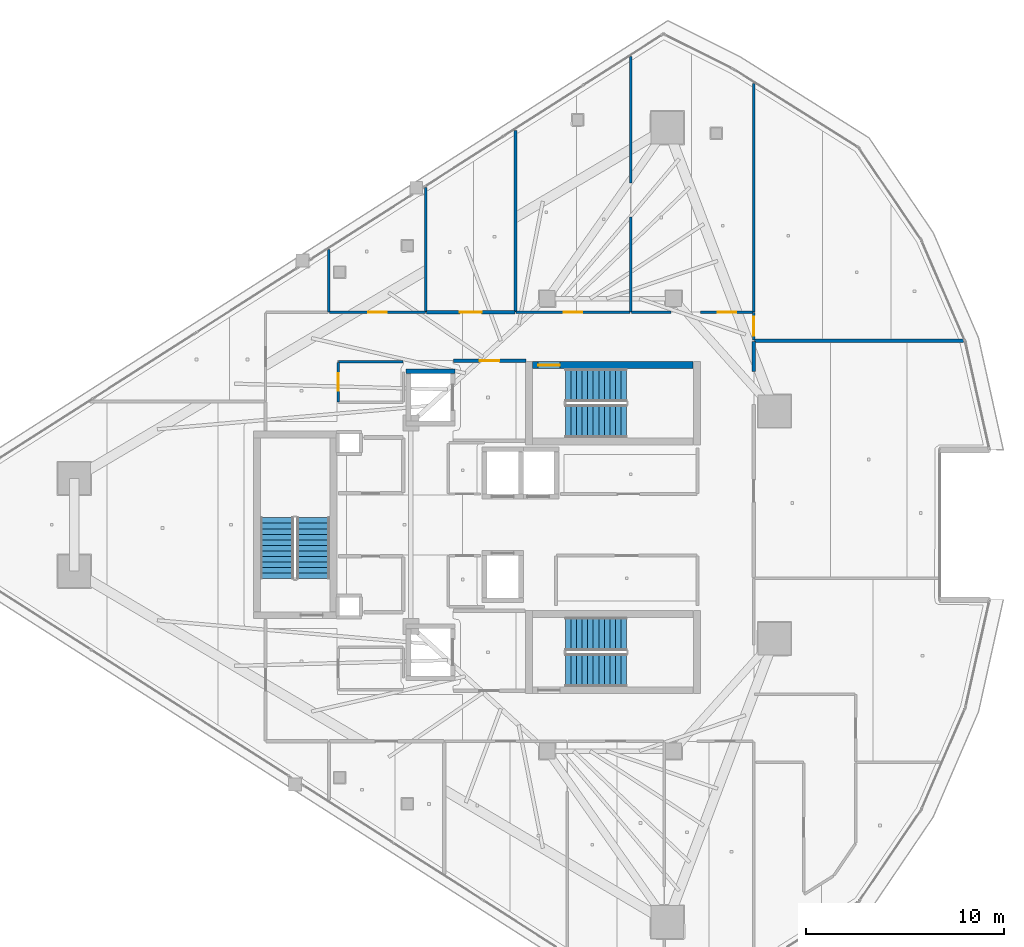
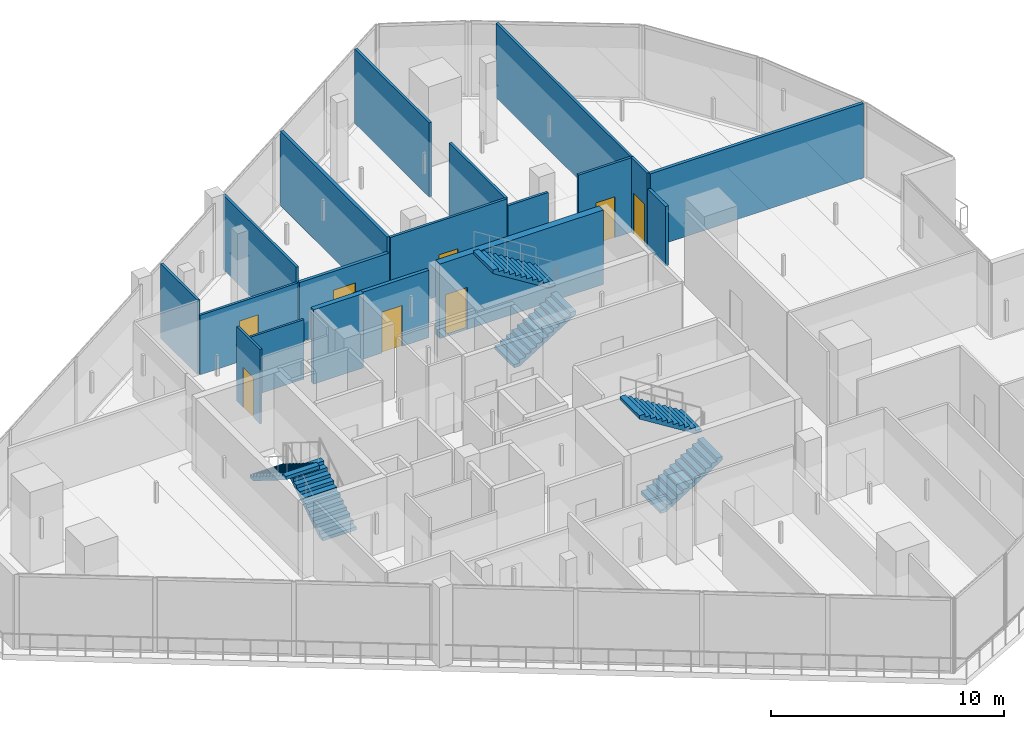
# One storey, part 25 of 33: 19 walls, 8 doors, 6 stair flights, 8 openings, 3 elements without a shape of their own.
"""IFC4 building model written with IfcOpenShell, lengths in metres."""

from ifc_helpers import new_model, si_unit, direction, frame, frame_2d, origin, place, context, subcontext, project, spatial, polyline, rectangle, outline, extrude, material, layer, layer_set, type_object, element, fill, aggregate, save


model = new_model("IFC4")

# Units and contexts
model_context = context("Model", 3, precision=1e-05, world=origin(), true_north=direction((0.0, 1.0)))
body_context = subcontext(model_context, "Body", "Model", "MODEL_VIEW")
ifc_project = project(units=[si_unit("LENGTHUNIT", "METRE"), si_unit("AREAUNIT", "SQUARE_METRE"), si_unit("VOLUMEUNIT", "CUBIC_METRE"), si_unit("PLANEANGLEUNIT", "RADIAN"), si_unit("MASSUNIT", "GRAM", prefix="KILO")], contexts=[model_context])

# Site, building, storey
site_placement = place(None, origin())
site = spatial("IfcSite", under=ifc_project, at=site_placement, CompositionType="ELEMENT")
building_placement = place(site_placement, origin())
building = spatial("IfcBuilding", under=site, at=building_placement, Name="Qorvath Tower", CompositionType="ELEMENT")
storey_placement = place(building_placement, frame((0.0, 0.0, 280.800048828125)))
storey = spatial("IfcBuildingStorey", under=building, at=storey_placement, Name="L65", CompositionType="ELEMENT", Elevation=280.800048828125)

# Wall, opening, door
ifc_material_1 = material(Name="Gypsum shaftliner on steel studs", Category="steel")
ifc_layer_1 = layer(ifc_material_1, 0.179931640625)
ifc_layer_set_1 = layer_set([ifc_layer_1], Name="FW-LOBBY")
wall_type_1 = type_object("IfcWallType", Name="FW-LOBBY", PredefinedType="PARTITIONING", material=ifc_layer_set_1)
wall_1_placement = place(storey_placement, frame((-24.68408203125, 8.300048828125, 0.0), z_axis=(0.0, 0.0, 1.0), x_axis=(-1.0, 0.0, 0.0)))
wall_1 = element("IfcWall", 1, at=wall_1_placement, inside=storey, type_object=wall_type_1, Name="Interior Partition IW-T1-L65-002", PredefinedType="PARTITIONING", context=body_context, shape_type="SweptSolid", body=[
    extrude(rectangle(XDim=3.6708984375, YDim=0.179931640625, at=frame_2d((1.83544921875, 0.0))), origin(), (0.0, 0.0, 1.0), 3.52880859375),
])
opening_1_placement = place(wall_1_placement, frame((1.33544921875, 0.0, 0.0)))
opening_1 = element("IfcOpeningElement", 2, at=opening_1_placement, cuts=wall_1, Name="Opening D-T1-L65-21", PredefinedType="OPENING", context=body_context, shape_type="SweptSolid", body=[
    extrude(rectangle(XDim=1.0, YDim=2.14990234375, at=frame_2d((0.5, 1.074951171875))), frame((0.0, 0.10009765625, 0.0), z_axis=(0.0, -1.0, 0.0), x_axis=(1.0, 0.0, 0.0)), (0.0, 0.0, 1.0), 0.199951171875),
])
ifc_material_2 = material(Name="Painted galvanised hollow metal", Category="steel")
door_type_1 = type_object("IfcDoorType", Name="FD-60", OperationType="NOTDEFINED", PredefinedType="DOOR", material=ifc_material_2)
door_1_placement = place(opening_1_placement, origin())
door_1 = element("IfcDoor", 3, at=door_1_placement, inside=storey, type_object=door_type_1, Name="Lobby Fire Service Elevator North Door D-T1-L65-21", OperationType="SINGLE_SWING_RIGHT", OverallHeight=2.14990234375, OverallWidth=1.0, PredefinedType="DOOR", context=body_context, shape_type="SweptSolid", body=[
    extrude(rectangle(XDim=1.0, YDim=2.14990234375, at=frame_2d((0.5, 1.074951171875))), frame((0.0, 0.02490234375, 0.0), z_axis=(0.0, -1.0, 0.0), x_axis=(1.0, 0.0, 0.0)), (0.0, 0.0, 1.0), 0.050048828125),
])
fill(opening_1, door_1)

ifc_material_3 = material(Name="Double acoustic gypsum board on steel studs", Category="steel")
ifc_layer_2 = layer(ifc_material_3, 0.159912109375)
ifc_layer_set_2 = layer_set([ifc_layer_2], Name="IW-ACOUSTIC-160")
wall_type_2 = type_object("IfcWallType", Name="IW-ACOUSTIC-160", PredefinedType="PARTITIONING", material=ifc_layer_set_2)
wall_2_placement = place(storey_placement, frame((-29.7060546875, 10.758056640625, 0.0), z_axis=(0.0, 0.0, 1.0), x_axis=(1.0, 0.0, 0.0)))
wall_2 = element("IfcWall", 4, at=wall_2_placement, inside=storey, type_object=wall_type_2, Name="Interior Partition IW-T1-L65-033", PredefinedType="PARTITIONING", context=body_context, shape_type="SweptSolid", body=[
    extrude(rectangle(XDim=4.46826171875, YDim=0.159912109375, at=frame_2d((2.234130859375, 0.0))), origin(), (0.0, 0.0, 1.0), 3.1298828125),
])
opening_2_placement = place(wall_2_placement, frame((1.68408203125, 0.0, 0.0)))
opening_2 = element("IfcOpeningElement", 5, at=opening_2_placement, cuts=wall_2, Name="Opening D-T1-L65-10", PredefinedType="OPENING", context=body_context, shape_type="SweptSolid", body=[
    extrude(rectangle(XDim=1.10009765625, YDim=2.14990234375, at=frame_2d((0.550048828125, 1.074951171875))), frame((0.0, 0.08984375, 0.0), z_axis=(0.0, -1.0, 0.0), x_axis=(1.0, 0.0, 0.0)), (0.0, 0.0, 1.0), 0.179931640625),
])
ifc_material_4 = material(Name="Anodised aluminium acoustic framed glass", Category="aluminium")
door_type_2 = type_object("IfcDoorType", Name="D-03", OperationType="NOTDEFINED", PredefinedType="DOOR", material=ifc_material_4)
door_2_placement = place(opening_2_placement, origin())
door_2 = element("IfcDoor", 6, at=door_2_placement, inside=storey, type_object=door_type_2, Name="L65-02 Enclosed Conference Suite Door D-T1-L65-10", OperationType="SINGLE_SWING_LEFT", OverallHeight=2.14990234375, OverallWidth=1.10009765625, PredefinedType="DOOR", context=body_context, shape_type="SweptSolid", body=[
    extrude(rectangle(XDim=1.10009765625, YDim=2.14990234375, at=frame_2d((0.550048828125, 1.074951171875))), frame((0.0, 0.02490234375, 0.0), z_axis=(0.0, -1.0, 0.0), x_axis=(1.0, 0.0, 0.0)), (0.0, 0.0, 1.0), 0.050048828125),
])
fill(opening_2, door_2)

# Walls
wall_3_placement = place(storey_placement, frame((-25.212890625, 10.783203125, 0.0), z_axis=(0.0, 0.0, 1.0), x_axis=(0.0, 1.0, 0.0)))
element("IfcWall", 7, at=wall_3_placement, inside=storey, type_object=wall_type_2, Name="Interior Partition IW-T1-L65-034", PredefinedType="PARTITIONING", context=body_context, shape_type="SweptSolid", body=[
    extrude(rectangle(XDim=9.186279296875, YDim=0.159912109375, at=frame_2d((4.59326171875, 0.0))), origin(), (0.0, 0.0, 1.0), 3.909912109375),
])
wall_4_placement = place(storey_placement, frame((-2.535400390625, 9.31591796875, 0.0), z_axis=(0.0, 0.0, 1.0), x_axis=(-1.0, 0.0, 0.0)))
element("IfcWall", 8, at=wall_4_placement, inside=storey, type_object=wall_type_2, Name="Interior Partition IW-T1-L65-061", PredefinedType="PARTITIONING", context=body_context, shape_type="SweptSolid", body=[
    extrude(rectangle(XDim=10.581787109375, YDim=0.159912109375, at=frame_2d((5.291015625, 0.0))), origin(), (0.0, 0.0, 1.0), 3.909912109375),
])
wall_5_placement = place(storey_placement, frame((-13.14208984375, 9.291015625, 0.0), z_axis=(0.0, 0.0, 1.0), x_axis=(0.0, -1.0, 0.0)))
element("IfcWall", 9, at=wall_5_placement, inside=storey, type_object=wall_type_2, Name="Interior Partition IW-T1-L65-062", PredefinedType="PARTITIONING", context=body_context, shape_type="SweptSolid", body=[
    extrude(rectangle(XDim=1.533203125, YDim=0.159912109375, at=frame_2d((0.7666015625, 0.0))), origin(), (0.0, 0.0, 1.0), 3.1298828125),
])
ifc_material_5 = material(Name="Gypsum board on metal studs with mineral wool", Category="gypsum")
ifc_layer_3 = layer(ifc_material_5, 0.125)
ifc_layer_set_3 = layer_set([ifc_layer_3], Name="IW-PART-125")
wall_type_3 = type_object("IfcWallType", Name="IW-PART-125", PredefinedType="PARTITIONING", material=ifc_layer_set_3)
wall_6_placement = place(storey_placement, frame((-34.64990234375, 13.93798828125, 0.0), z_axis=(0.0, 0.0, 1.0), x_axis=(0.0, -1.0, 0.0)))
element("IfcWall", 10, at=wall_6_placement, inside=storey, type_object=wall_type_3, Name="Interior Partition IW-T1-L65-030", PredefinedType="PARTITIONING", context=body_context, shape_type="SweptSolid", body=[
    extrude(rectangle(XDim=3.15478515625, YDim=0.125, at=frame_2d((1.577392578125, 0.0))), origin(), (0.0, 0.0, 1.0), 3.909912109375),
])

# Wall, opening, door
wall_7_placement = place(storey_placement, frame((-34.625, 10.758056640625, 0.0), z_axis=(0.0, 0.0, 1.0), x_axis=(1.0, 0.0, 0.0)))
wall_7 = element("IfcWall", 11, at=wall_7_placement, inside=storey, type_object=wall_type_3, Name="Interior Partition IW-T1-L65-031", PredefinedType="PARTITIONING", context=body_context, shape_type="SweptSolid", body=[
    extrude(rectangle(XDim=4.861083984375, YDim=0.125, at=frame_2d((2.4306640625, 0.0))), origin(), (0.0, 0.0, 1.0), 3.1298828125),
])
opening_3_placement = place(wall_7_placement, frame((1.95556640625, 0.0, 0.0)))
opening_3 = element("IfcOpeningElement", 12, at=opening_3_placement, cuts=wall_7, Name="Opening D-T1-L65-09", PredefinedType="OPENING", context=body_context, shape_type="SweptSolid", body=[
    extrude(rectangle(XDim=0.949951171875, YDim=2.14990234375, at=frame_2d((0.47509765625, 1.074951171875))), frame((0.0, 0.072509765625, 0.0), z_axis=(0.0, -1.0, 0.0), x_axis=(1.0, 0.0, 0.0)), (0.0, 0.0, 1.0), 0.14501953125),
])
ifc_material_6 = material(Name="Solid-core American white oak veneer", Category="wood")
door_type_3 = type_object("IfcDoorType", Name="D-01", OperationType="NOTDEFINED", PredefinedType="DOOR", material=ifc_material_6)
door_3_placement = place(opening_3_placement, origin())
door_3 = element("IfcDoor", 13, at=door_3_placement, inside=storey, type_object=door_type_3, Name="L65-01 Open Workplace Studio Door D-T1-L65-09", OperationType="SINGLE_SWING_RIGHT", OverallHeight=2.14990234375, OverallWidth=0.949951171875, PredefinedType="DOOR", context=body_context, shape_type="SweptSolid", body=[
    extrude(rectangle(XDim=0.949951171875, YDim=2.14990234375, at=frame_2d((0.47509765625, 1.074951171875))), frame((0.0, 0.02490234375, 0.0), z_axis=(0.0, -1.0, 0.0), x_axis=(1.0, 0.0, 0.0)), (0.0, 0.0, 1.0), 0.050048828125),
])
fill(opening_3, door_3)

# Wall
wall_8_placement = place(storey_placement, frame((-29.73876953125, 10.783203125, 0.0), z_axis=(0.0, 0.0, 1.0), x_axis=(0.0, 1.0, 0.0)))
element("IfcWall", 14, at=wall_8_placement, inside=storey, type_object=wall_type_3, Name="Interior Partition IW-T1-L65-032", PredefinedType="PARTITIONING", context=body_context, shape_type="SweptSolid", body=[
    extrude(rectangle(XDim=6.29345703125, YDim=0.125, at=frame_2d((3.146728515625, 0.0))), origin(), (0.0, 0.0, 1.0), 3.909912109375),
])

# Wall, opening, door
wall_9_placement = place(storey_placement, frame((-25.1796875, 10.758056640625, 0.0), z_axis=(0.0, 0.0, 1.0), x_axis=(1.0, 0.0, 0.0)))
wall_9 = element("IfcWall", 15, at=wall_9_placement, inside=storey, type_object=wall_type_3, Name="Interior Partition IW-T1-L65-035", PredefinedType="PARTITIONING", context=body_context, shape_type="SweptSolid", body=[
    extrude(rectangle(XDim=5.78076171875, YDim=0.125, at=frame_2d((2.890380859375, 0.0))), origin(), (0.0, 0.0, 1.0), 3.909912109375),
])
opening_4_placement = place(wall_9_placement, frame((2.415283203125, 0.0, 0.0)))
opening_4 = element("IfcOpeningElement", 16, at=opening_4_placement, cuts=wall_9, Name="Opening D-T1-L65-11", PredefinedType="OPENING", context=body_context, shape_type="SweptSolid", body=[
    extrude(rectangle(XDim=0.949951171875, YDim=2.14990234375, at=frame_2d((0.47509765625, 1.074951171875))), frame((0.0, 0.072509765625, 0.0), z_axis=(0.0, -1.0, 0.0), x_axis=(1.0, 0.0, 0.0)), (0.0, 0.0, 1.0), 0.14501953125),
])
door_4_placement = place(opening_4_placement, origin())
door_4 = element("IfcDoor", 17, at=door_4_placement, inside=storey, type_object=door_type_3, Name="L65-03 Focus Collaboration Pod Door D-T1-L65-11", OperationType="SINGLE_SWING_RIGHT", OverallHeight=2.14990234375, OverallWidth=0.949951171875, PredefinedType="DOOR", context=body_context, shape_type="SweptSolid", body=[
    extrude(rectangle(XDim=0.949951171875, YDim=2.14990234375, at=frame_2d((0.47509765625, 1.074951171875))), frame((0.0, 0.02490234375, 0.0), z_axis=(0.0, -1.0, 0.0), x_axis=(1.0, 0.0, 0.0)), (0.0, 0.0, 1.0), 0.050048828125),
])
fill(opening_4, door_4)

# Walls
wall_10_placement = place(storey_placement, frame((-19.3740234375, 10.783203125, 0.0), z_axis=(0.0, 0.0, 1.0), x_axis=(0.0, 1.0, 0.0)))
element("IfcWall", 18, at=wall_10_placement, inside=storey, type_object=wall_type_3, Name="Interior Partition IW-T1-L65-036", PredefinedType="PARTITIONING", context=body_context, shape_type="SweptSolid", body=[
    extrude(rectangle(XDim=4.795654296875, YDim=0.125, at=frame_2d((2.39794921875, 0.0))), origin(), (0.0, 0.0, 1.0), 3.909912109375),
])
wall_11_placement = place(storey_placement, frame((-19.3740234375, 17.2998046875, 0.0), z_axis=(0.0, 0.0, 1.0), x_axis=(0.0, 1.0, 0.0)))
element("IfcWall", 19, at=wall_11_placement, inside=storey, type_object=wall_type_3, Name="Interior Partition IW-T1-L65-037", PredefinedType="PARTITIONING", context=body_context, shape_type="SweptSolid", body=[
    extrude(rectangle(XDim=6.4013671875, YDim=0.125, at=frame_2d((3.20068359375, 0.0))), origin(), (0.0, 0.0, 1.0), 3.909912109375),
])
wall_12_placement = place(storey_placement, frame((-19.341064453125, 10.758056640625, 0.0), z_axis=(0.0, 0.0, 1.0), x_axis=(1.0, 0.0, 0.0)))
element("IfcWall", 20, at=wall_12_placement, inside=storey, type_object=wall_type_3, Name="Interior Partition IW-T1-L65-038", PredefinedType="PARTITIONING", context=body_context, shape_type="SweptSolid", body=[
    extrude(rectangle(XDim=2.01123046875, YDim=0.125, at=frame_2d((1.005615234375, 0.0))), origin(), (0.0, 0.0, 1.0), 3.52880859375),
])

# Wall, opening, door
wall_13_placement = place(storey_placement, frame((-15.829345703125, 10.758056640625, 0.0), z_axis=(0.0, 0.0, 1.0), x_axis=(1.0, 0.0, 0.0)))
wall_13 = element("IfcWall", 21, at=wall_13_placement, inside=storey, type_object=wall_type_3, Name="Interior Partition IW-T1-L65-039", PredefinedType="PARTITIONING", context=body_context, shape_type="SweptSolid", body=[
    extrude(rectangle(XDim=2.654541015625, YDim=0.125, at=frame_2d((1.3271484375, 0.0))), origin(), (0.0, 0.0, 1.0), 3.909912109375),
])
opening_5_placement = place(wall_13_placement, frame((0.852294921875, 0.0, 0.0)))
opening_5 = element("IfcOpeningElement", 22, at=opening_5_placement, cuts=wall_13, Name="Opening D-T1-L65-23", PredefinedType="OPENING", context=body_context, shape_type="SweptSolid", body=[
    extrude(rectangle(XDim=0.949951171875, YDim=2.14990234375, at=frame_2d((0.47509765625, 1.074951171875))), frame((0.0, 0.072509765625, 0.0), z_axis=(0.0, -1.0, 0.0), x_axis=(1.0, 0.0, 0.0)), (0.0, 0.0, 1.0), 0.14501953125),
])
door_5_placement = place(opening_5_placement, origin())
door_5 = element("IfcDoor", 23, at=door_5_placement, inside=storey, type_object=door_type_3, Name="L65-04 Staff Refreshment Pantry and Coffee Bar Door D-T1-L65-23", OperationType="SINGLE_SWING_RIGHT", OverallHeight=2.14990234375, OverallWidth=0.949951171875, PredefinedType="DOOR", context=body_context, shape_type="SweptSolid", body=[
    extrude(rectangle(XDim=0.949951171875, YDim=2.14990234375, at=frame_2d((0.47509765625, 1.074951171875))), frame((0.0, 0.02490234375, 0.0), z_axis=(0.0, -1.0, 0.0), x_axis=(1.0, 0.0, 0.0)), (0.0, 0.0, 1.0), 0.050048828125),
])
fill(opening_5, door_5)

# Wall
wall_14_placement = place(storey_placement, frame((-13.14990234375, 10.783203125, 0.0), z_axis=(0.0, 0.0, 1.0), x_axis=(0.0, 1.0, 0.0)))
element("IfcWall", 24, at=wall_14_placement, inside=storey, type_object=wall_type_3, Name="Interior Partition IW-T1-L65-040", PredefinedType="PARTITIONING", context=body_context, shape_type="SweptSolid", body=[
    extrude(rectangle(XDim=11.55908203125, YDim=0.125, at=frame_2d((5.779541015625, 0.0))), origin(), (0.0, 0.0, 1.0), 3.909912109375),
])

# Wall, opening, door
wall_15_placement = place(storey_placement, frame((-13.14208984375, 10.75830078125, 0.0), z_axis=(0.0, 0.0, 1.0), x_axis=(0.0, -1.0, 0.0)))
wall_15 = element("IfcWall", 25, at=wall_15_placement, inside=storey, type_object=wall_type_3, Name="Interior Partition IW-T1-L65-064", PredefinedType="PARTITIONING", context=body_context, shape_type="SweptSolid", body=[
    extrude(rectangle(XDim=1.4091796875, YDim=0.125, at=frame_2d((0.70458984375, 0.0))), origin(), (0.0, 0.0, 1.0), 3.909912109375),
])
opening_6_placement = place(wall_15_placement, frame((0.2294921875, 0.0, 0.0)))
opening_6 = element("IfcOpeningElement", 26, at=opening_6_placement, cuts=wall_15, Name="Opening D-T1-L65-20", PredefinedType="OPENING", context=body_context, shape_type="SweptSolid", body=[
    extrude(rectangle(XDim=0.949951171875, YDim=2.14990234375, at=frame_2d((0.47509765625, 1.074951171875))), frame((0.0, 0.072509765625, 0.0), z_axis=(0.0, -1.0, 0.0), x_axis=(1.0, 0.0, 0.0)), (0.0, 0.0, 1.0), 0.14501953125),
])
door_6_placement = place(opening_6_placement, origin())
door_6 = element("IfcDoor", 27, at=door_6_placement, inside=storey, type_object=door_type_3, Name="L65-12 Quantitative Research Studio Door D-T1-L65-20", OperationType="SINGLE_SWING_LEFT", OverallHeight=2.14990234375, OverallWidth=0.949951171875, PredefinedType="DOOR", context=body_context, shape_type="SweptSolid", body=[
    extrude(rectangle(XDim=0.949951171875, YDim=2.14990234375, at=frame_2d((0.47509765625, 1.074951171875))), frame((0.0, 0.02490234375, 0.0), z_axis=(0.0, -1.0, 0.0), x_axis=(1.0, 0.0, 0.0)), (0.0, 0.0, 1.0), 0.050048828125),
])
fill(opening_6, door_6)

ifc_material_7 = material(Name="Moisture-resistant cement board on metal studs", Category="gypsum")
ifc_layer_4 = layer(ifc_material_7, 0.110107421875)
ifc_layer_set_4 = layer_set([ifc_layer_4], Name="IW-WC-110")
wall_type_4 = type_object("IfcWallType", Name="IW-WC-110", PredefinedType="PARTITIONING", material=ifc_layer_set_4)
wall_16_placement = place(storey_placement, frame((-34.179931640625, 8.22509765625, 0.0), z_axis=(0.0, 0.0, 1.0), x_axis=(0.0, -1.0, 0.0)))
wall_16 = element("IfcWall", 28, at=wall_16_placement, inside=storey, type_object=wall_type_4, Name="Interior Partition IW-T1-L65-005", PredefinedType="PARTITIONING", context=body_context, shape_type="SweptSolid", body=[
    extrude(rectangle(XDim=2.0, YDim=0.110107421875, at=frame_2d((1.0, 0.0))), origin(), (0.0, 0.0, 1.0), 3.909912109375),
])
opening_7_placement = place(wall_16_placement, frame((0.56005859375, 0.0, 0.0)))
opening_7 = element("IfcOpeningElement", 29, at=opening_7_placement, cuts=wall_16, Name="Opening D-T1-L65-01", PredefinedType="OPENING", context=body_context, shape_type="SweptSolid", body=[
    extrude(rectangle(XDim=0.8798828125, YDim=2.10009765625, at=frame_2d((0.43994140625, 1.050048828125))), frame((0.0, 0.06494140625, 0.0), z_axis=(0.0, -1.0, 0.0), x_axis=(1.0, 0.0, 0.0)), (0.0, 0.0, 1.0), 0.130126953125),
])
ifc_material_8 = material(Name="Solid-core oak with acoustic drop seal", Category="wood")
door_type_4 = type_object("IfcDoorType", Name="D-02", OperationType="NOTDEFINED", PredefinedType="DOOR", material=ifc_material_8)
door_7_placement = place(opening_7_placement, origin())
door_7 = element("IfcDoor", 30, at=door_7_placement, inside=storey, type_object=door_type_4, Name="WC All-Gender North L65 Door D-T1-L65-01", OperationType="SINGLE_SWING_RIGHT", OverallHeight=2.10009765625, OverallWidth=0.8798828125, PredefinedType="DOOR", context=body_context, shape_type="SweptSolid", body=[
    extrude(rectangle(XDim=0.8798828125, YDim=2.10009765625, at=frame_2d((0.43994140625, 1.050048828125))), frame((0.0, 0.02490234375, 0.0), z_axis=(0.0, -1.0, 0.0), x_axis=(1.0, 0.0, 0.0)), (0.0, 0.0, 1.0), 0.050048828125),
])
fill(opening_7, door_7)

# Walls
wall_17_placement = place(storey_placement, frame((-30.90478515625, 8.25, 0.0), z_axis=(0.0, 0.0, 1.0), x_axis=(-1.0, 0.0, 0.0)))
element("IfcWall", 31, at=wall_17_placement, inside=storey, type_object=wall_type_4, Name="Interior Partition IW-T1-L65-008", PredefinedType="PARTITIONING", context=body_context, shape_type="SweptSolid", body=[
    extrude(rectangle(XDim=3.25, YDim=0.110107421875, at=frame_2d((1.625, 0.0))), origin(), (0.0, 0.0, 1.0), 3.1298828125),
])
ifc_material_9 = material(Name="Concrete C60/75", Category="concrete")
ifc_layer_5 = layer(ifc_material_9, 0.260009765625)
ifc_layer_set_5 = layer_set([ifc_layer_5], Name="SW-SHAFT")
wall_type_5 = type_object("IfcWallType", Name="SW-SHAFT", PredefinedType="SHEAR", material=ifc_layer_set_5)
wall_18_placement = place(storey_placement, frame((-30.739990234375, 7.77001953125, 0.0), z_axis=(0.0, 0.0, 1.0), x_axis=(1.0, 0.0, 0.0)))
element("IfcWall", 32, at=wall_18_placement, inside=storey, type_object=wall_type_5, Name="Hoistway Wall FSAE-1 L65 N", PredefinedType="SHEAR", context=body_context, shape_type="SweptSolid", body=[
    extrude(rectangle(XDim=2.47998046875, YDim=0.239990234375, at=frame_2d((1.239990234375, 0.0))), origin(), (0.0, 0.0, 1.0), 3.909912109375),
])

# Wall, opening, door
ifc_material_10 = material(Name="Concrete C60/75", Category="concrete")
ifc_layer_6 = layer(ifc_material_10, 0.35009765625)
ifc_layer_set_6 = layer_set([ifc_layer_6], Name="SW-STAIR")
wall_type_6 = type_object("IfcWallType", Name="SW-STAIR", PredefinedType="SHEAR", material=ifc_layer_set_6)
wall_19_placement = place(storey_placement, frame((-16.215087890625, 8.0849609375, 0.0), z_axis=(0.0, 0.0, 1.0), x_axis=(-1.0, 0.0, 0.0)))
wall_19 = element("IfcWall", 33, at=wall_19_placement, inside=storey, type_object=wall_type_6, Name="Stair TS1 Shear Wall L65 RIGHT", PredefinedType="SHEAR", context=body_context, shape_type="SweptSolid", body=[
    extrude(rectangle(XDim=8.119873046875, YDim=0.35009765625, at=frame_2d((4.06005859375, 0.0))), origin(), (0.0, 0.0, 1.0), 3.909912109375),
])
opening_8_placement = place(wall_19_placement, frame((6.739990234375, 0.0, 0.0)))
opening_8 = element("IfcOpeningElement", 34, at=opening_8_placement, cuts=wall_19, Name="Opening D-TS1-L65", PredefinedType="OPENING", context=body_context, shape_type="SweptSolid", body=[
    extrude(rectangle(XDim=1.10009765625, YDim=2.199951171875, at=frame_2d((0.550048828125, 1.10009765625))), frame((0.0, 0.18505859375, 0.0), z_axis=(0.0, -1.0, 0.0), x_axis=(1.0, 0.0, 0.0)), (0.0, 0.0, 1.0), 0.3701171875),
])
ifc_material_11 = material(Name="Painted galvanised hollow metal", Category="steel")
door_type_5 = type_object("IfcDoorType", Name="FD-90", OperationType="NOTDEFINED", PredefinedType="DOOR", material=ifc_material_11)
door_8_placement = place(opening_8_placement, origin())
door_8 = element("IfcDoor", 35, at=door_8_placement, inside=storey, type_object=door_type_5, Name="Stair TS1 Fire Door L65", OperationType="SINGLE_SWING_RIGHT", OverallHeight=2.199951171875, OverallWidth=1.10009765625, PredefinedType="DOOR", context=body_context, shape_type="SweptSolid", body=[
    extrude(rectangle(XDim=1.10009765625, YDim=2.199951171875, at=frame_2d((0.550048828125, 1.10009765625))), frame((0.0, 0.02490234375, 0.0), z_axis=(0.0, -1.0, 0.0), x_axis=(1.0, 0.0, 0.0)), (0.0, 0.0, 1.0), 0.050048828125),
])
fill(opening_8, door_8)

# Stair, stair flights
ifc_material_12 = material(Name="Concrete C50/60", Category="concrete")
stair_type = type_object("IfcStairType", Name="ST-H420", PredefinedType="HALF_TURN_STAIR", material=ifc_material_12)
stair_1_placement = place(storey_placement, origin())
stair_1 = element("IfcStair", 36, at=stair_1_placement, inside=storey, type_object=stair_type, Name="L65 Tower Exit Stair 1", PredefinedType="HALF_TURN_STAIR")
ifc_material_13 = material(Name="Concrete C50/60", Category="concrete")
ifc_layer_7 = layer(ifc_material_13, 0.14990234375)
ifc_layer_set_7 = layer_set([ifc_layer_7], Name="SF-H420")
stair_flight_type = type_object("IfcStairFlightType", Name="SF-H420", PredefinedType="STRAIGHT", material=ifc_layer_set_7)
stair_flight_1_placement = place(storey_placement, frame((-22.669921875, 5.239990234375, 0.0), z_axis=(0.0, 0.0, 1.0), x_axis=(1.0, 0.0, 0.0)))
stair_flight_1 = element("IfcStairFlight", 37, at=stair_flight_1_placement, type_object=stair_flight_type, Name="TS1 flight 1", NumberOfRisers=12, NumberOfTreads=11, PredefinedType="STRAIGHT", RiserHeight=0.175, TreadLength=0.28, context=body_context, shape_type="SweptSolid", body=[
    extrude(outline(polyline([(0.0, 0.0), (0.0, 0.175048828125), (0.280029296875, 0.175048828125), (0.280029296875, 0.35009765625), (0.56005859375, 0.35009765625), (0.56005859375, 0.52490234375), (0.840087890625, 0.52490234375), (0.840087890625, 0.699951171875), (1.1201171875, 0.699951171875), (1.1201171875, 0.875), (1.39990234375, 0.875), (1.39990234375, 1.050048828125), (1.679931640625, 1.050048828125), (1.679931640625, 1.22509765625), (1.9599609375, 1.22509765625), (1.9599609375, 1.39990234375), (2.239990234375, 1.39990234375), (2.239990234375, 1.574951171875), (2.52001953125, 1.574951171875), (2.52001953125, 1.75), (2.800048828125, 1.75), (2.800048828125, 1.925048828125), (3.080078125, 1.925048828125), (3.080078125, 2.10009765625), (3.080078125, 1.748291015625), (0.28271484375, 0.0), (0.0, 0.0)])), frame((0.0, 0.83984375, 0.0), z_axis=(0.0, -1.0, 0.0), x_axis=(1.0, 0.0, 0.0)), (0.0, 0.0, 1.0), 1.679931640625),
])
stair_flight_2_placement = place(storey_placement, frame((-19.590087890625, 7.070068359375, 2.099853515625), z_axis=(0.0, 0.0, 1.0), x_axis=(-1.0, 0.0, 0.0)))
stair_flight_2 = element("IfcStairFlight", 38, at=stair_flight_2_placement, type_object=stair_flight_type, Name="TS1 flight 2", NumberOfRisers=12, NumberOfTreads=11, PredefinedType="STRAIGHT", RiserHeight=0.175, TreadLength=0.28, context=body_context, shape_type="SweptSolid", body=[
    extrude(outline(polyline([(0.0, 0.0), (0.0, 0.175048828125), (0.280029296875, 0.175048828125), (0.280029296875, 0.35009765625), (0.56005859375, 0.35009765625), (0.56005859375, 0.52490234375), (0.840087890625, 0.52490234375), (0.840087890625, 0.699951171875), (1.1201171875, 0.699951171875), (1.1201171875, 0.875), (1.39990234375, 0.875), (1.39990234375, 1.050048828125), (1.679931640625, 1.050048828125), (1.679931640625, 1.22509765625), (1.9599609375, 1.22509765625), (1.9599609375, 1.39990234375), (2.239990234375, 1.39990234375), (2.239990234375, 1.574951171875), (2.52001953125, 1.574951171875), (2.52001953125, 1.75), (2.800048828125, 1.75), (2.800048828125, 1.925048828125), (3.080078125, 1.925048828125), (3.080078125, 2.10009765625), (3.080078125, 1.748291015625), (0.28271484375, 0.0), (0.0, 0.0)])), frame((0.0, 0.83984375, 0.0), z_axis=(0.0, -1.0, 0.0), x_axis=(1.0, 0.0, 0.0)), (0.0, 0.0, 1.0), 1.679931640625),
])
aggregate(stair_1, [stair_flight_1, stair_flight_2])

stair_2_placement = place(storey_placement, origin())
stair_2 = element("IfcStair", 39, at=stair_2_placement, inside=storey, type_object=stair_type, Name="L65 Tower Exit Stair 2", PredefinedType="HALF_TURN_STAIR")
stair_flight_3_placement = place(storey_placement, frame((-22.669921875, -7.360107421875, 0.0), z_axis=(0.0, 0.0, 1.0), x_axis=(1.0, 0.0, 0.0)))
stair_flight_3 = element("IfcStairFlight", 40, at=stair_flight_3_placement, type_object=stair_flight_type, Name="TS2 flight 1", NumberOfRisers=12, NumberOfTreads=11, PredefinedType="STRAIGHT", RiserHeight=0.175, TreadLength=0.28, context=body_context, shape_type="SweptSolid", body=[
    extrude(outline(polyline([(0.0, 0.0), (0.0, 0.175048828125), (0.280029296875, 0.175048828125), (0.280029296875, 0.35009765625), (0.56005859375, 0.35009765625), (0.56005859375, 0.52490234375), (0.840087890625, 0.52490234375), (0.840087890625, 0.699951171875), (1.1201171875, 0.699951171875), (1.1201171875, 0.875), (1.39990234375, 0.875), (1.39990234375, 1.050048828125), (1.679931640625, 1.050048828125), (1.679931640625, 1.22509765625), (1.9599609375, 1.22509765625), (1.9599609375, 1.39990234375), (2.239990234375, 1.39990234375), (2.239990234375, 1.574951171875), (2.52001953125, 1.574951171875), (2.52001953125, 1.75), (2.800048828125, 1.75), (2.800048828125, 1.925048828125), (3.080078125, 1.925048828125), (3.080078125, 2.10009765625), (3.080078125, 1.748291015625), (0.28271484375, 0.0), (0.0, 0.0)])), frame((0.0, 0.83984375, 0.0), z_axis=(0.0, -1.0, 0.0), x_axis=(1.0, 0.0, 0.0)), (0.0, 0.0, 1.0), 1.679931640625),
])
stair_flight_4_placement = place(storey_placement, frame((-19.590087890625, -5.530029296875, 2.099853515625), z_axis=(0.0, 0.0, 1.0), x_axis=(-1.0, 0.0, 0.0)))
stair_flight_4 = element("IfcStairFlight", 41, at=stair_flight_4_placement, type_object=stair_flight_type, Name="TS2 flight 2", NumberOfRisers=12, NumberOfTreads=11, PredefinedType="STRAIGHT", RiserHeight=0.175, TreadLength=0.28, context=body_context, shape_type="SweptSolid", body=[
    extrude(outline(polyline([(0.0, 0.0), (0.0, 0.175048828125), (0.280029296875, 0.175048828125), (0.280029296875, 0.35009765625), (0.56005859375, 0.35009765625), (0.56005859375, 0.52490234375), (0.840087890625, 0.52490234375), (0.840087890625, 0.699951171875), (1.1201171875, 0.699951171875), (1.1201171875, 0.875), (1.39990234375, 0.875), (1.39990234375, 1.050048828125), (1.679931640625, 1.050048828125), (1.679931640625, 1.22509765625), (1.9599609375, 1.22509765625), (1.9599609375, 1.39990234375), (2.239990234375, 1.39990234375), (2.239990234375, 1.574951171875), (2.52001953125, 1.574951171875), (2.52001953125, 1.75), (2.800048828125, 1.75), (2.800048828125, 1.925048828125), (3.080078125, 1.925048828125), (3.080078125, 2.10009765625), (3.080078125, 1.748291015625), (0.28271484375, 0.0), (0.0, 0.0)])), frame((0.0, 0.83984375, 0.0), z_axis=(0.0, -1.0, 0.0), x_axis=(1.0, 0.0, 0.0)), (0.0, 0.0, 1.0), 1.679931640625),
])
aggregate(stair_2, [stair_flight_3, stair_flight_4])

stair_3_placement = place(storey_placement, origin())
stair_3 = element("IfcStair", 42, at=stair_3_placement, inside=storey, type_object=stair_type, Name="L65 Tower Exit Stair 3", PredefinedType="HALF_TURN_STAIR")
stair_flight_5_placement = place(storey_placement, frame((-35.43994140625, -2.719970703125, 0.0), z_axis=(0.0, 0.0, 1.0), x_axis=(0.0, 1.0, 0.0)))
stair_flight_5 = element("IfcStairFlight", 43, at=stair_flight_5_placement, type_object=stair_flight_type, Name="TS3 flight 1", NumberOfRisers=12, NumberOfTreads=11, PredefinedType="STRAIGHT", RiserHeight=0.175, TreadLength=0.28, context=body_context, shape_type="SweptSolid", body=[
    extrude(outline(polyline([(0.0, 0.0), (0.0, 0.175048828125), (0.280029296875, 0.175048828125), (0.280029296875, 0.35009765625), (0.56005859375, 0.35009765625), (0.56005859375, 0.52490234375), (0.840087890625, 0.52490234375), (0.840087890625, 0.699951171875), (1.1201171875, 0.699951171875), (1.1201171875, 0.875), (1.39990234375, 0.875), (1.39990234375, 1.050048828125), (1.679931640625, 1.050048828125), (1.679931640625, 1.22509765625), (1.9599609375, 1.22509765625), (1.9599609375, 1.39990234375), (2.239990234375, 1.39990234375), (2.239990234375, 1.574951171875), (2.52001953125, 1.574951171875), (2.52001953125, 1.75), (2.800048828125, 1.75), (2.800048828125, 1.925048828125), (3.080078125, 1.925048828125), (3.080078125, 2.10009765625), (3.080078125, 1.748291015625), (0.28271484375, 0.0), (0.0, 0.0)])), frame((0.0, 0.83984375, 0.0), z_axis=(0.0, -1.0, 0.0), x_axis=(1.0, 0.0, 0.0)), (0.0, 0.0, 1.0), 1.679931640625),
])
stair_flight_6_placement = place(storey_placement, frame((-37.27001953125, 0.360107421875, 2.099853515625), z_axis=(0.0, 0.0, 1.0), x_axis=(0.0, -1.0, 0.0)))
stair_flight_6 = element("IfcStairFlight", 44, at=stair_flight_6_placement, type_object=stair_flight_type, Name="TS3 flight 2", NumberOfRisers=12, NumberOfTreads=11, PredefinedType="STRAIGHT", RiserHeight=0.175, TreadLength=0.28, context=body_context, shape_type="SweptSolid", body=[
    extrude(outline(polyline([(0.0, 0.0), (0.0, 0.175048828125), (0.280029296875, 0.175048828125), (0.280029296875, 0.35009765625), (0.56005859375, 0.35009765625), (0.56005859375, 0.52490234375), (0.840087890625, 0.52490234375), (0.840087890625, 0.699951171875), (1.1201171875, 0.699951171875), (1.1201171875, 0.875), (1.39990234375, 0.875), (1.39990234375, 1.050048828125), (1.679931640625, 1.050048828125), (1.679931640625, 1.22509765625), (1.9599609375, 1.22509765625), (1.9599609375, 1.39990234375), (2.239990234375, 1.39990234375), (2.239990234375, 1.574951171875), (2.52001953125, 1.574951171875), (2.52001953125, 1.75), (2.800048828125, 1.75), (2.800048828125, 1.925048828125), (3.080078125, 1.925048828125), (3.080078125, 2.10009765625), (3.080078125, 1.748291015625), (0.28271484375, 0.0), (0.0, 0.0)])), frame((0.0, 0.83984375, 0.0), z_axis=(0.0, -1.0, 0.0), x_axis=(1.0, 0.0, 0.0)), (0.0, 0.0, 1.0), 1.679931640625),
])
aggregate(stair_3, [stair_flight_5, stair_flight_6])

save(model, "model.ifc")
